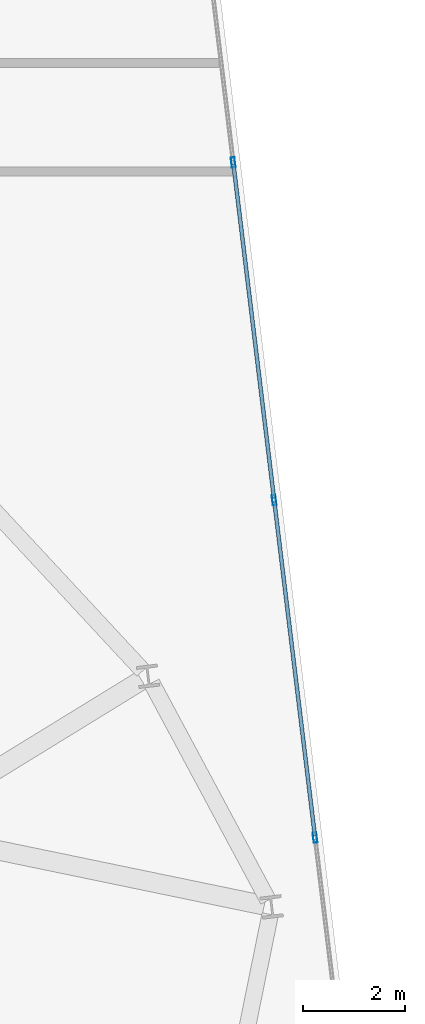
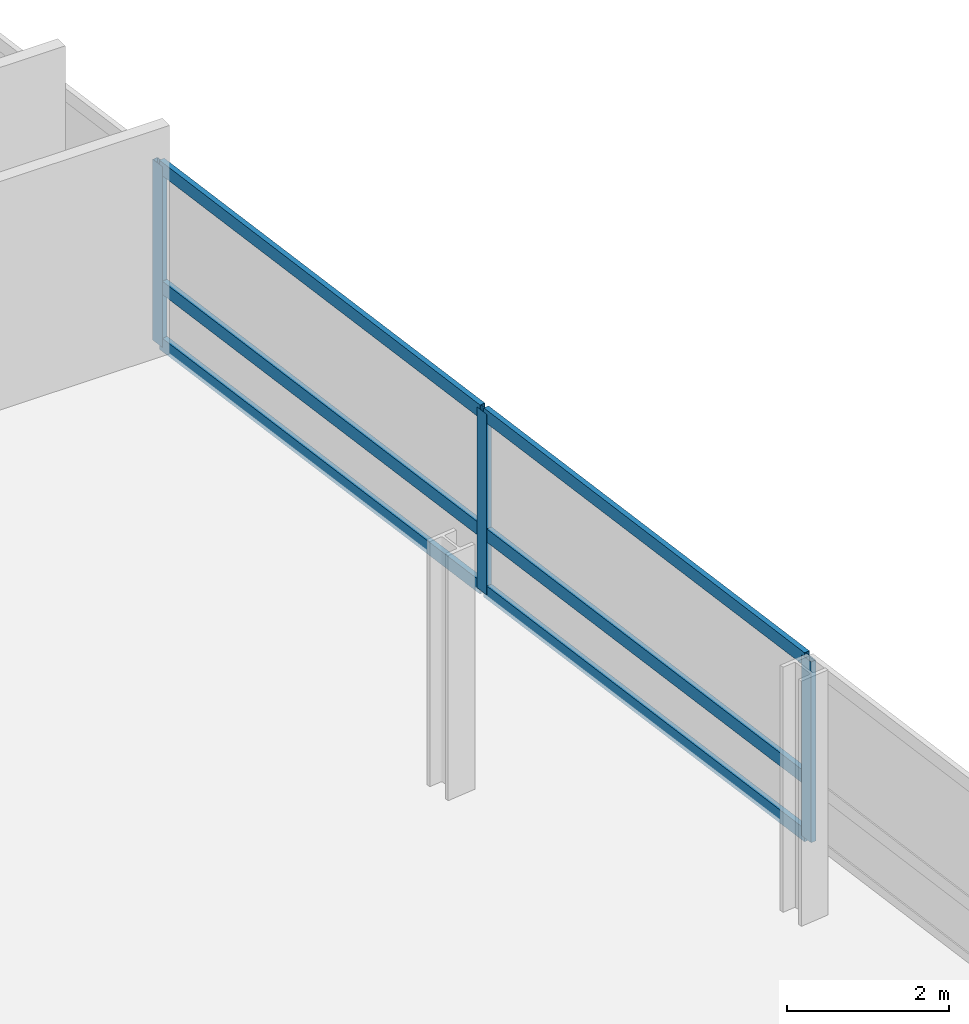
# One storey, part 12 of 24: 9 members, 1 element without a shape of its own.
"""IFC4 building model written with IfcOpenShell, lengths in metres."""

import ifcopenshell
import ifcopenshell.guid

model = None  # the IFC model being written
_history = None  # IfcOwnerHistory: only IFC2X3 demands one
_inside = {}  # id of a spatial element -> (the spatial element, [elements in it])
_under = {}  # id of a project, library or spatial element -> (it, [spatial elements below it])
_declared = {}  # id of a project -> (the project, [libraries it declares])
_typed = {}  # id of a type object -> (the type object, [elements of that type])
_made_of = {}  # id of a material, layer set ... -> (it, [elements and type objects made of it])


def new_model(schema):
    """Start an empty IFC model of exactly this schema.

    Asked for "IFC4X3", IfcOpenShell would pick the latest addendum, in which some entities
    have other attributes; the version numbers below select the first issue.
    IFC2X3 requires an IfcOwnerHistory on every rooted entity: one is made here for all.
    """
    global model, _history
    if schema == "IFC4X3":
        model = ifcopenshell.file(schema_version=(4, 3, 0, 0))
    else:
        model = ifcopenshell.file(schema=schema)
    _inside.clear()
    _under.clear()
    _declared.clear()
    _typed.clear()
    _made_of.clear()
    _history = None
    if model.schema == "IFC2X3":
        org = make("IfcOrganization", Name="unknown")
        user = make(
            "IfcPersonAndOrganization",
            ThePerson=make("IfcPerson", FamilyName="unknown"),
            TheOrganization=org,
        )
        app = make(
            "IfcApplication",
            ApplicationDeveloper=org,
            Version="unknown",
            ApplicationFullName="unknown",
            ApplicationIdentifier="unknown",
        )
        _history = make(
            "IfcOwnerHistory",
            OwningUser=user,
            OwningApplication=app,
            ChangeAction="ADDED",
            CreationDate=0,
        )
    return model


def make(cls, **values):
    """One entity of the class cls with the attributes given. An attribute that is None is left unset."""
    return model.create_entity(
        cls, **{name: value for name, value in values.items() if value is not None}
    )


def rooted(cls, **values):
    """An entity with a GlobalId (a new one), such as an element, a storey or a relation."""
    return make(cls, GlobalId=ifcopenshell.guid.new(), OwnerHistory=_history, **values)


def si_unit(unit_type, name, prefix=None):
    """IfcSIUnit, for example si_unit("LENGTHUNIT", "METRE", prefix="MILLI")."""
    return make("IfcSIUnit", UnitType=unit_type, Prefix=prefix, Name=name)


def assignment(units):
    """IfcUnitAssignment: the units of a project."""
    return None if units is None else make("IfcUnitAssignment", Units=units)


def point(xyz):
    """IfcCartesianPoint."""
    return None if xyz is None else make("IfcCartesianPoint", Coordinates=xyz)


def direction(xyz):
    """IfcDirection."""
    return None if xyz is None else make("IfcDirection", DirectionRatios=xyz)


def frame(location, z_axis=None, x_axis=None):
    """IfcAxis2Placement3D, a coordinate frame: its origin and axes. An axis left out is left unset."""
    return make(
        "IfcAxis2Placement3D",
        Location=point(location),
        Axis=direction(z_axis),
        RefDirection=direction(x_axis),
    )


def frame_2d(location, x_axis=None):
    """IfcAxis2Placement2D, a coordinate frame in the plane: its origin and x axis."""
    return make(
        "IfcAxis2Placement2D", Location=point(location), RefDirection=direction(x_axis)
    )


def origin():
    """The frame at (0, 0, 0) with its axes left unset."""
    return frame((0.0, 0.0, 0.0))


def origin_2d():
    """The frame at (0, 0) in the plane with its x axis left unset."""
    return frame_2d((0.0, 0.0))


def place(relative_to, where):
    """IfcLocalPlacement: puts the frame where relative to a parent placement (None: the world)."""
    return make(
        "IfcLocalPlacement", PlacementRelTo=relative_to, RelativePlacement=where
    )


def context(
    kind, dimensions, precision=None, world=None, true_north=None, identifier=None
):
    """IfcGeometricRepresentationContext, for example the 3D "Model" context."""
    return make(
        "IfcGeometricRepresentationContext",
        ContextIdentifier=identifier,
        ContextType=kind,
        CoordinateSpaceDimension=dimensions,
        Precision=precision,
        WorldCoordinateSystem=world,
        TrueNorth=true_north,
    )


def subcontext(parent, identifier, kind, view, scale=None):
    """IfcGeometricRepresentationSubContext, for example "Body" below "Model"."""
    return make(
        "IfcGeometricRepresentationSubContext",
        ContextIdentifier=identifier,
        ContextType=kind,
        ParentContext=parent,
        TargetScale=scale,
        TargetView=view,
    )


def project(units=None, contexts=None):
    """IfcProject with its units and contexts."""
    return rooted(
        "IfcProject",
        Name="project",
        RepresentationContexts=contexts,
        UnitsInContext=assignment(units),
    )


def spatial(cls, under=None, at=None, **own):
    """A site, building, storey or space (cls), placed at a placement, below another one or the project."""
    s = rooted(cls, ObjectPlacement=at, **own)
    if under is not None:
        _under.setdefault(under.id(), (under, []))[1].append(s)
    return s


def profile(cls, at=None, kind="AREA", **sizes):
    """A parametric profile (cls). Its sizes go by their IFC names, for example OverallWidth=200.0."""
    return make(cls, ProfileType=kind, Position=at, **sizes)


def hollow_rectangle(**sizes):
    """IfcRectangleHollowProfileDef."""
    return profile("IfcRectangleHollowProfileDef", **sizes)


def extrude(swept, where, along, depth):
    """IfcExtrudedAreaSolid: the profile swept, set in the frame where, extruded along a direction by depth."""
    return make(
        "IfcExtrudedAreaSolid",
        SweptArea=swept,
        Position=where,
        ExtrudedDirection=direction(along),
        Depth=depth,
    )


def shape(context_of_items, identifier, shape_type, items):
    """IfcShapeRepresentation: the items that make up one representation, for example the "Body"."""
    return make(
        "IfcShapeRepresentation",
        ContextOfItems=context_of_items,
        RepresentationIdentifier=identifier,
        RepresentationType=shape_type,
        Items=items,
    )


def material(Name=None, Category=None):
    """IfcMaterial."""
    return make("IfcMaterial", Name=Name, Category=Category)


def layer(
    of_material, thickness, ventilated=None, Name=None, Category=None, Priority=None
):
    """IfcMaterialLayer: one layer of a wall or slab, of a material (None: an air gap)."""
    return make(
        "IfcMaterialLayer",
        Material=of_material,
        LayerThickness=thickness,
        IsVentilated=ventilated,
        Name=Name,
        Category=Category,
        Priority=Priority,
    )


def layer_set(layers, Name=None):
    """IfcMaterialLayerSet."""
    return make("IfcMaterialLayerSet", MaterialLayers=layers, LayerSetName=Name)


def material_profile(
    of_material, cross_section, Name=None, Category=None, Priority=None
):
    """IfcMaterialProfile: a cross section and its material."""
    return make(
        "IfcMaterialProfile",
        Name=Name,
        Material=of_material,
        Profile=cross_section,
        Priority=Priority,
        Category=Category,
    )


def profile_set(profiles, Name=None, composite=None):
    """IfcMaterialProfileSet."""
    return make(
        "IfcMaterialProfileSet",
        Name=Name,
        MaterialProfiles=profiles,
        CompositeProfile=composite,
    )


def made_of(thing, what):
    """Note that an element or type object is made of a material, layer set ...; save() writes the relation."""
    if what is not None:
        _made_of.setdefault(what.id(), (what, []))[1].append(thing)
    return thing


def type_object(cls, material=None, **own):
    """A type object (cls), such as IfcWallType, which elements share."""
    return made_of(rooted(cls, **own), material)


def element(
    cls,
    number,
    at=None,
    inside=None,
    cuts=None,
    type_object=None,
    material=None,
    context=None,
    identifier="Body",
    shape_type=None,
    held_by="IfcProductDefinitionShape",
    body=None,
    shapes=None,
    **own,
):
    """One element of the class cls, such as IfcWall. Its Tag is "e" and its number.

    at: its placement. inside: the storey or other place that contains it. cuts: it is an
    opening in that element (IfcRelVoidsElement). A single representation is given by context,
    identifier, shape_type and body (its items); several are given by shapes. held_by: the class
    of the entity that holds the representations. save() writes the other relations.
    """
    e = rooted(cls, Tag="e%d" % number, ObjectPlacement=at, **own)
    if body is not None:
        shapes = [shape(context, identifier, shape_type, body)]
    if shapes is not None:
        e.Representation = make(held_by, Representations=shapes)
    if inside is not None:
        _inside.setdefault(inside.id(), (inside, []))[1].append(e)
    if cuts is not None:
        rooted(
            "IfcRelVoidsElement", RelatingBuildingElement=cuts, RelatedOpeningElement=e
        )
    if type_object is not None:
        _typed.setdefault(type_object.id(), (type_object, []))[1].append(e)
    return made_of(e, material)


def aggregate(whole, parts):
    """IfcRelAggregates: a whole, such as a stair, and the parts it consists of."""
    return rooted("IfcRelAggregates", RelatingObject=whole, RelatedObjects=parts)


def save(model, path):
    """Write the relations noted so far, then the file.

    IfcRelAggregates (storeys below a building ...), IfcRelContainedInSpatialStructure (elements
    in a storey), IfcRelDefinesByType, IfcRelAssociatesMaterial and IfcRelDeclares: one each for
    every whole, place, type object, material and project.
    """
    for whole, parts in _under.values():
        aggregate(whole, parts)
    for where, things in _inside.values():
        rooted(
            "IfcRelContainedInSpatialStructure",
            RelatedElements=things,
            RelatingStructure=where,
        )
    for kind, things in _typed.values():
        rooted("IfcRelDefinesByType", RelatedObjects=things, RelatingType=kind)
    for what, things in _made_of.values():
        rooted("IfcRelAssociatesMaterial", RelatedObjects=things, RelatingMaterial=what)
    for by, libraries in _declared.values():
        rooted("IfcRelDeclares", RelatingContext=by, RelatedDefinitions=libraries)
    model.write(path)


model = new_model("IFC4")

# Units and contexts
model_context = context("Model", 3, precision=1e-05, world=origin(), true_north=direction((0.0, 1.0)))
body_context = subcontext(model_context, "Body", "Model", "MODEL_VIEW")
ifc_project = project(units=[si_unit("LENGTHUNIT", "METRE"), si_unit("AREAUNIT", "SQUARE_METRE"), si_unit("VOLUMEUNIT", "CUBIC_METRE"), si_unit("PLANEANGLEUNIT", "RADIAN"), si_unit("MASSUNIT", "GRAM", prefix="KILO")], contexts=[model_context])

# Site, building, storey
site_placement = place(None, origin())
site = spatial("IfcSite", under=ifc_project, at=site_placement, CompositionType="ELEMENT")
building_placement = place(site_placement, origin())
building = spatial("IfcBuilding", under=site, at=building_placement, Name="Varnelok Gate Tower", CompositionType="ELEMENT")
storey_placement = place(building_placement, frame((0.0, 0.0, 167.199951171875)))
storey = spatial("IfcBuildingStorey", under=building, at=storey_placement, Name="L42", CompositionType="ELEMENT", Elevation=167.199951171875)

# Curtain wall, members
ifc_material = material(Name="Anodized Aluminum Alloy 6063-T6", Category="aluminium")
ifc_layer = layer(ifc_material, 0.179931640625)
ifc_layer_set = layer_set([ifc_layer], Name="Anodized Aluminum Alloy 6063-T6")
curtain_wall_type = type_object("IfcCurtainWallType", Name="CW4-RESIDENCE-VISION", PredefinedType="USERDEFINED", material=ifc_layer_set)
curtain_wall_placement = place(storey_placement, origin())
curtain_wall = element("IfcCurtainWall", 1, at=curtain_wall_placement, inside=storey, type_object=curtain_wall_type, Name="L42 East End Vision Curtain Wall", ObjectType="UNITISED CURTAIN WALL", PredefinedType="USERDEFINED")
ifc_material_profile_1 = material_profile(ifc_material, hollow_rectangle(XDim=0.074951171875, YDim=0.199951171875, WallThickness=0.00390625, at=origin_2d()), Name="ALU200X75X4")
ifc_profile_set_1 = profile_set([ifc_material_profile_1], Name="Anodized Aluminum Alloy 6063-T6")
member_type_1 = type_object("IfcMemberType", Name="CW-MULL-200", PredefinedType="MULLION", material=ifc_profile_set_1)
member_1_placement = place(storey_placement, frame((72.898681640625, 39.478515625, 0.0), z_axis=(0.0, 0.0, 1.0), x_axis=(0.992732188751, 0.120344511371, 0.0)))
member_1 = element("IfcMember", 2, at=member_1_placement, type_object=member_type_1, Name="CW4 mullion 2", PredefinedType="MULLION", context=body_context, shape_type="SweptSolid", body=[
    extrude(hollow_rectangle(XDim=0.074951171875, YDim=0.199951171875, WallThickness=0.00390625, at=origin_2d()), origin(), (0.0, 0.0, 1.0), 2.72998046875),
])
member_2_placement = place(storey_placement, frame((73.702392578125, 32.846923828125, 0.0), z_axis=(0.0, 0.0, 1.0), x_axis=(0.992732188751, 0.120344511371, 0.0)))
member_2 = element("IfcMember", 3, at=member_2_placement, type_object=member_type_1, Name="CW4 mullion 3", PredefinedType="MULLION", context=body_context, shape_type="SweptSolid", body=[
    extrude(hollow_rectangle(XDim=0.074951171875, YDim=0.199951171875, WallThickness=0.00390625, at=origin_2d()), origin(), (0.0, 0.0, 1.0), 2.72998046875),
])
member_3_placement = place(storey_placement, frame((74.50634765625, 26.215576171875, 0.0), z_axis=(0.0, 0.0, 1.0), x_axis=(0.992732188751, 0.120344511371, 0.0)))
member_3 = element("IfcMember", 4, at=member_3_placement, type_object=member_type_1, Name="CW4 mullion 4", PredefinedType="MULLION", context=body_context, shape_type="SweptSolid", body=[
    extrude(hollow_rectangle(XDim=0.074951171875, YDim=0.199951171875, WallThickness=0.00390625, at=origin_2d()), origin(), (0.0, 0.0, 1.0), 2.72998046875),
])
ifc_material_profile_2 = material_profile(ifc_material, hollow_rectangle(XDim=0.074951171875, YDim=0.199951171875, WallThickness=0.00390625, at=origin_2d()), Name="ALU200X75X4")
ifc_profile_set_2 = profile_set([ifc_material_profile_2], Name="Anodized Aluminum Alloy 6063-T6")
member_type_2 = type_object("IfcMemberType", Name="CW-TRAN-200", PredefinedType="USERDEFINED", material=ifc_profile_set_2)
member_4_placement = place(storey_placement, frame((72.903076171875, 39.441162109375, 0.03759765625), z_axis=(0.120353445289, -0.992731105691, 0.0), x_axis=(0.992731105691, 0.120353445289, 0.0)))
member_4 = element("IfcMember", 5, at=member_4_placement, type_object=member_type_2, Name="CW4 transom 2.1", ObjectType="TRANSOM", PredefinedType="USERDEFINED", context=body_context, shape_type="SweptSolid", body=[
    extrude(hollow_rectangle(XDim=0.074951171875, YDim=0.199951171875, WallThickness=0.00390625, at=origin_2d()), origin(), (0.0, 0.0, 1.0), 6.60498046875),
])
member_5_placement = place(storey_placement, frame((72.903076171875, 39.441162109375, 0.900146484375), z_axis=(0.120353445289, -0.992731105691, 0.0), x_axis=(0.992731105691, 0.120353445289, 0.0)))
member_5 = element("IfcMember", 6, at=member_5_placement, type_object=member_type_2, Name="CW4 transom 2.2", ObjectType="TRANSOM", PredefinedType="USERDEFINED", context=body_context, shape_type="SweptSolid", body=[
    extrude(hollow_rectangle(XDim=0.074951171875, YDim=0.199951171875, WallThickness=0.00390625, at=origin_2d()), origin(), (0.0, 0.0, 1.0), 6.60498046875),
])
member_6_placement = place(storey_placement, frame((72.903076171875, 39.441162109375, 2.692626953125), z_axis=(0.120353445289, -0.992731105691, 0.0), x_axis=(0.992731105691, 0.120353445289, 0.0)))
member_6 = element("IfcMember", 7, at=member_6_placement, type_object=member_type_2, Name="CW4 transom 2.3", ObjectType="TRANSOM", PredefinedType="USERDEFINED", context=body_context, shape_type="SweptSolid", body=[
    extrude(hollow_rectangle(XDim=0.074951171875, YDim=0.199951171875, WallThickness=0.00390625, at=origin_2d()), origin(), (0.0, 0.0, 1.0), 6.60498046875),
])
member_7_placement = place(storey_placement, frame((73.70703125, 32.809814453125, 0.03759765625), z_axis=(0.120349029092, -0.992731641078, 0.0), x_axis=(0.992731641078, 0.120349029092, 0.0)))
member_7 = element("IfcMember", 8, at=member_7_placement, type_object=member_type_2, Name="CW4 transom 3.1", ObjectType="TRANSOM", PredefinedType="USERDEFINED", context=body_context, shape_type="SweptSolid", body=[
    extrude(hollow_rectangle(XDim=0.074951171875, YDim=0.199951171875, WallThickness=0.00390625, at=origin_2d()), origin(), (0.0, 0.0, 1.0), 6.605224609375),
])
member_8_placement = place(storey_placement, frame((73.70703125, 32.809814453125, 0.900146484375), z_axis=(0.120349029092, -0.992731641078, 0.0), x_axis=(0.992731641078, 0.120349029092, 0.0)))
member_8 = element("IfcMember", 9, at=member_8_placement, type_object=member_type_2, Name="CW4 transom 3.2", ObjectType="TRANSOM", PredefinedType="USERDEFINED", context=body_context, shape_type="SweptSolid", body=[
    extrude(hollow_rectangle(XDim=0.074951171875, YDim=0.199951171875, WallThickness=0.00390625, at=origin_2d()), origin(), (0.0, 0.0, 1.0), 6.605224609375),
])
member_9_placement = place(storey_placement, frame((73.70703125, 32.809814453125, 2.692626953125), z_axis=(0.120349029092, -0.992731641078, 0.0), x_axis=(0.992731641078, 0.120349029092, 0.0)))
member_9 = element("IfcMember", 10, at=member_9_placement, type_object=member_type_2, Name="CW4 transom 3.3", ObjectType="TRANSOM", PredefinedType="USERDEFINED", context=body_context, shape_type="SweptSolid", body=[
    extrude(hollow_rectangle(XDim=0.074951171875, YDim=0.199951171875, WallThickness=0.00390625, at=origin_2d()), origin(), (0.0, 0.0, 1.0), 6.605224609375),
])
aggregate(curtain_wall, [member_1, member_2, member_3, member_4, member_5, member_6, member_7, member_8, member_9])

save(model, "model.ifc")
